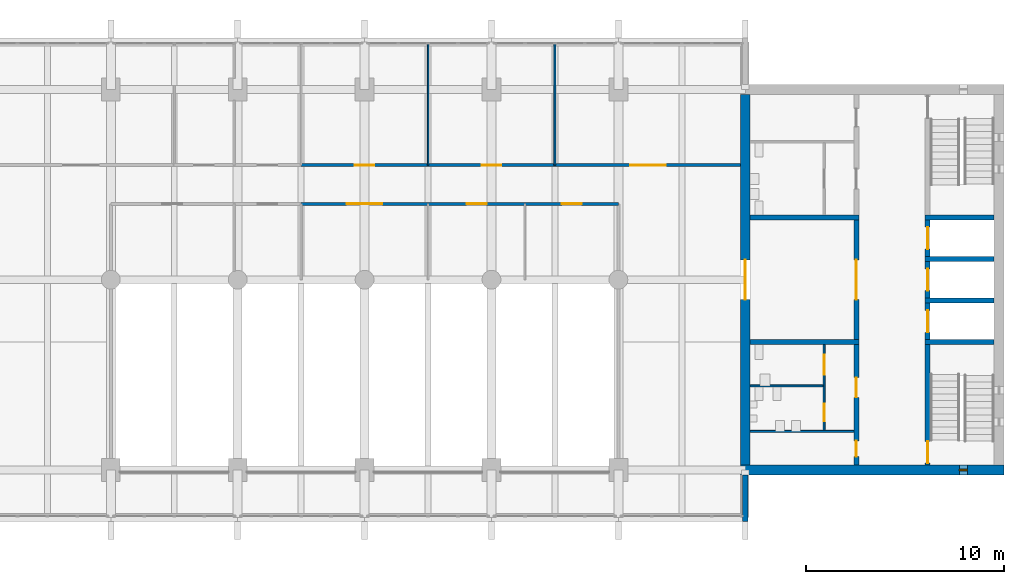
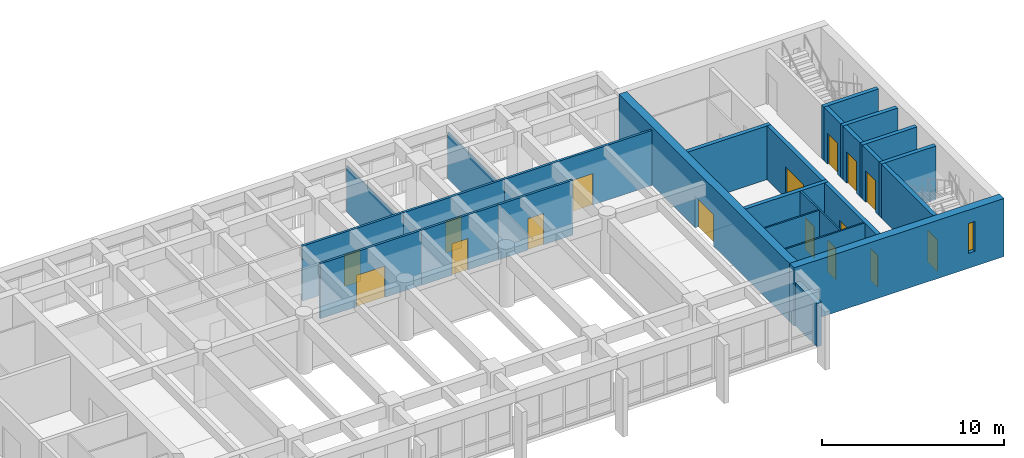
# One storey, part 11 of 15: 26 walls, 16 doors, 1 window, 17 openings.
"""IFC4 building model written with IfcOpenShell, lengths in metres."""

from ifc_helpers import new_model, si_unit, direction, frame, frame_2d, origin, place, context, subcontext, project, spatial, rectangle, extrude, material, layer, layer_set, type_object, element, fill, save


model = new_model("IFC4")

# Units and contexts
model_context = context("Model", 3, precision=1e-05, world=origin(), true_north=direction((0.0, 1.0)))
body_context = subcontext(model_context, "Body", "Model", "MODEL_VIEW")
ifc_project = project(units=[si_unit("LENGTHUNIT", "METRE"), si_unit("AREAUNIT", "SQUARE_METRE"), si_unit("VOLUMEUNIT", "CUBIC_METRE"), si_unit("PLANEANGLEUNIT", "RADIAN"), si_unit("MASSUNIT", "GRAM", prefix="KILO")], contexts=[model_context])

# Site, building, storey
site_placement = place(None, origin())
site = spatial("IfcSite", under=ifc_project, at=site_placement, CompositionType="ELEMENT")
building_placement = place(site_placement, origin())
building = spatial("IfcBuilding", under=site, at=building_placement, Name="Fogon Plaza Fire Station and Headquarters Tower", CompositionType="ELEMENT")
storey_placement = place(building_placement, frame((0.0, 0.0, 36.60009765625)))
storey = spatial("IfcBuildingStorey", under=building, at=storey_placement, Name="L09", CompositionType="ELEMENT", Elevation=36.60009765625)

# Walls
ifc_material_1 = material(Name="Concrete C40", Category="concrete")
ifc_layer_1 = layer(ifc_material_1, 0.25)
ifc_layer_set_1 = layer_set([ifc_layer_1], Name="Concrete C40")
wall_type_1 = type_object("IfcWallType", Name="Core Wall RC 250", PredefinedType="SOLIDWALL", material=ifc_layer_set_1)
for number, where, z_axis, x_axis, name in (
    (1, (76.550048828125, 40.050048828125, 0.0), (0.0, 0.0, 1.0), (-1.0, 0.0, 0.0), "Core B shaft wall"),
    (2, (76.550048828125, 42.14990234375, 0.0), (0.0, 0.0, 1.0), (-1.0, 0.0, 0.0), "Core B shaft wall"),
    (3, (76.550048828125, 44.25, 0.0), (0.0, 0.0, 1.0), (-1.0, 0.0, 0.0), "Core B shaft wall"),
    (4, (76.550048828125, 46.35009765625, 0.0), (0.0, 0.0, 1.0), (-1.0, 0.0, 0.0), "Core B shaft wall"),
):
    element("IfcWall", number, at=place(storey_placement, frame(where, z_axis=z_axis, x_axis=x_axis)), inside=storey, type_object=wall_type_1, Name=name, PredefinedType="SOLIDWALL", context=body_context, shape_type="SweptSolid", body=[
        extrude(rectangle(XDim=3.47509765625, YDim=0.25, at=frame_2d((1.737548828125, 0.0))), origin(), (0.0, 0.0, 1.0), 3.599853515625),
    ])

# Wall, opening, door
wall_1_placement = place(storey_placement, frame((73.199951171875, 33.85009765625, 0.0), z_axis=(0.0, 0.0, 1.0), x_axis=(0.0, 1.0, 0.0)))
wall_1 = element("IfcWall", 5, at=wall_1_placement, inside=storey, type_object=wall_type_1, Name="Core B shaft wall", PredefinedType="SOLIDWALL", context=body_context, shape_type="SweptSolid", body=[
    extrude(rectangle(XDim=6.074951171875, YDim=0.25, at=frame_2d((3.03759765625, 0.0))), origin(), (0.0, 0.0, 1.0), 3.599853515625),
])
opening_1_placement = place(wall_1_placement, frame((0.10009765625, 0.0, 0.0)))
opening_1 = element("IfcOpeningElement", 6, at=opening_1_placement, cuts=wall_1, Name="Opening L09-D15", PredefinedType="OPENING", context=body_context, shape_type="SweptSolid", body=[
    extrude(rectangle(XDim=1.10009765625, YDim=2.10009765625, at=frame_2d((0.550048828125, 1.050048828125))), frame((0.0, 0.135009765625, 0.0), z_axis=(0.0, -1.0, 0.0), x_axis=(1.0, 0.0, 0.0)), (0.0, 0.0, 1.0), 0.27001953125),
])
ifc_material_2 = material(Name="Steel Fire Door Leaf", Category="steel")
door_type_1 = type_object("IfcDoorType", Name="Stair Door Single 1100x2100", OperationType="SINGLE_SWING_LEFT", PredefinedType="DOOR", material=ifc_material_2)
door_1_placement = place(opening_1_placement, frame((1.10009765625, 0.0, 0.0), z_axis=(0.0, 0.0, 1.0), x_axis=(-1.0, 0.0, 0.0)))
door_1 = element("IfcDoor", 7, at=door_1_placement, inside=storey, type_object=door_type_1, Name="Stair door ST3", OperationType="SINGLE_SWING_RIGHT", OverallHeight=2.10009765625, OverallWidth=1.10009765625, PredefinedType="DOOR", context=body_context, shape_type="SweptSolid", body=[
    extrude(rectangle(XDim=1.10009765625, YDim=2.10009765625, at=frame_2d((0.550048828125, 1.050048828125))), frame((0.0, 0.02490234375, 0.0), z_axis=(0.0, -1.0, 0.0), x_axis=(1.0, 0.0, 0.0)), (0.0, 0.0, 1.0), 0.050048828125),
])
fill(opening_1, door_1)

wall_2_placement = place(storey_placement, frame((73.199951171875, 40.175048828125, 0.0), z_axis=(0.0, 0.0, 1.0), x_axis=(0.0, 1.0, 0.0)))
wall_2 = element("IfcWall", 8, at=wall_2_placement, inside=storey, type_object=wall_type_1, Name="Core B shaft wall", PredefinedType="SOLIDWALL", context=body_context, shape_type="SweptSolid", body=[
    extrude(rectangle(XDim=1.849853515625, YDim=0.25, at=frame_2d((0.9248046875, 0.0))), origin(), (0.0, 0.0, 1.0), 3.599853515625),
])
opening_2_placement = place(wall_2_placement, frame((0.375, 0.0, 0.0)))
opening_2 = element("IfcOpeningElement", 9, at=opening_2_placement, cuts=wall_2, Name="Opening L09-D17", PredefinedType="OPENING", context=body_context, shape_type="SweptSolid", body=[
    extrude(rectangle(XDim=1.10009765625, YDim=2.10009765625, at=frame_2d((0.550048828125, 1.050048828125))), frame((0.0, 0.135009765625, 0.0), z_axis=(0.0, -1.0, 0.0), x_axis=(1.0, 0.0, 0.0)), (0.0, 0.0, 1.0), 0.27001953125),
])
ifc_material_3 = material(Name="Stainless Steel", Category="steel")
door_type_2 = type_object("IfcDoorType", Name="Lift Landing Door 1100x2100", OperationType="SLIDING_TO_LEFT", PredefinedType="DOOR", material=ifc_material_3)
door_2_placement = place(opening_2_placement, origin())
door_2 = element("IfcDoor", 10, at=door_2_placement, inside=storey, type_object=door_type_2, Name="Lift LP3 landing door", OperationType="SLIDING_TO_LEFT", OverallHeight=2.10009765625, OverallWidth=1.10009765625, PredefinedType="DOOR", context=body_context, shape_type="SweptSolid", body=[
    extrude(rectangle(XDim=1.10009765625, YDim=2.10009765625, at=frame_2d((0.550048828125, 1.050048828125))), frame((0.0, 0.02490234375, 0.0), z_axis=(0.0, -1.0, 0.0), x_axis=(1.0, 0.0, 0.0)), (0.0, 0.0, 1.0), 0.050048828125),
])
fill(opening_2, door_2)

wall_3_placement = place(storey_placement, frame((73.199951171875, 42.27490234375, 0.0), z_axis=(0.0, 0.0, 1.0), x_axis=(0.0, 1.0, 0.0)))
wall_3 = element("IfcWall", 11, at=wall_3_placement, inside=storey, type_object=wall_type_1, Name="Core B shaft wall", PredefinedType="SOLIDWALL", context=body_context, shape_type="SweptSolid", body=[
    extrude(rectangle(XDim=1.85009765625, YDim=0.25, at=frame_2d((0.925048828125, 0.0))), origin(), (0.0, 0.0, 1.0), 3.599853515625),
])
opening_3_placement = place(wall_3_placement, frame((0.375, 0.0, 0.0)))
opening_3 = element("IfcOpeningElement", 12, at=opening_3_placement, cuts=wall_3, Name="Opening L09-D18", PredefinedType="OPENING", context=body_context, shape_type="SweptSolid", body=[
    extrude(rectangle(XDim=1.10009765625, YDim=2.10009765625, at=frame_2d((0.550048828125, 1.050048828125))), frame((0.0, 0.135009765625, 0.0), z_axis=(0.0, -1.0, 0.0), x_axis=(1.0, 0.0, 0.0)), (0.0, 0.0, 1.0), 0.27001953125),
])
door_3_placement = place(opening_3_placement, origin())
door_3 = element("IfcDoor", 13, at=door_3_placement, inside=storey, type_object=door_type_2, Name="Lift LP4 landing door", OperationType="SLIDING_TO_LEFT", OverallHeight=2.10009765625, OverallWidth=1.10009765625, PredefinedType="DOOR", context=body_context, shape_type="SweptSolid", body=[
    extrude(rectangle(XDim=1.10009765625, YDim=2.10009765625, at=frame_2d((0.550048828125, 1.050048828125))), frame((0.0, 0.02490234375, 0.0), z_axis=(0.0, -1.0, 0.0), x_axis=(1.0, 0.0, 0.0)), (0.0, 0.0, 1.0), 0.050048828125),
])
fill(opening_3, door_3)

wall_4_placement = place(storey_placement, frame((73.199951171875, 44.375, 0.0), z_axis=(0.0, 0.0, 1.0), x_axis=(0.0, 1.0, 0.0)))
wall_4 = element("IfcWall", 14, at=wall_4_placement, inside=storey, type_object=wall_type_1, Name="Core B shaft wall", PredefinedType="SOLIDWALL", context=body_context, shape_type="SweptSolid", body=[
    extrude(rectangle(XDim=1.85009765625, YDim=0.25, at=frame_2d((0.925048828125, 0.0))), origin(), (0.0, 0.0, 1.0), 3.599853515625),
])
opening_4_placement = place(wall_4_placement, frame((0.375, 0.0, 0.0)))
opening_4 = element("IfcOpeningElement", 15, at=opening_4_placement, cuts=wall_4, Name="Opening L09-D19", PredefinedType="OPENING", context=body_context, shape_type="SweptSolid", body=[
    extrude(rectangle(XDim=1.10009765625, YDim=2.10009765625, at=frame_2d((0.550048828125, 1.050048828125))), frame((0.0, 0.135009765625, 0.0), z_axis=(0.0, -1.0, 0.0), x_axis=(1.0, 0.0, 0.0)), (0.0, 0.0, 1.0), 0.27001953125),
])
door_4_placement = place(opening_4_placement, origin())
door_4 = element("IfcDoor", 16, at=door_4_placement, inside=storey, type_object=door_type_2, Name="Lift FL2 landing door", OperationType="SLIDING_TO_LEFT", OverallHeight=2.10009765625, OverallWidth=1.10009765625, PredefinedType="DOOR", context=body_context, shape_type="SweptSolid", body=[
    extrude(rectangle(XDim=1.10009765625, YDim=2.10009765625, at=frame_2d((0.550048828125, 1.050048828125))), frame((0.0, 0.02490234375, 0.0), z_axis=(0.0, -1.0, 0.0), x_axis=(1.0, 0.0, 0.0)), (0.0, 0.0, 1.0), 0.050048828125),
])
fill(opening_4, door_4)

# Wall, openings, doors
wall_5_placement = place(storey_placement, frame((69.60009765625, 33.85009765625, 0.0), z_axis=(0.0, 0.0, 1.0), x_axis=(0.0, 1.0, 0.0)))
wall_5 = element("IfcWall", 17, at=wall_5_placement, inside=storey, type_object=wall_type_1, Name="Core B shaft wall", PredefinedType="SOLIDWALL", context=body_context, shape_type="SweptSolid", body=[
    extrude(rectangle(XDim=6.074951171875, YDim=0.25, at=frame_2d((3.03759765625, 0.0))), origin(), (0.0, 0.0, 1.0), 3.599853515625),
])
opening_5_placement = place(wall_5_placement, frame((0.425048828125, 0.0, 0.0)))
opening_5 = element("IfcOpeningElement", 18, at=opening_5_placement, cuts=wall_5, Name="Opening L09-D22", PredefinedType="OPENING", context=body_context, shape_type="SweptSolid", body=[
    extrude(rectangle(XDim=0.800048828125, YDim=2.10009765625, at=frame_2d((0.39990234375, 1.050048828125))), frame((0.0, 0.135009765625, 0.0), z_axis=(0.0, -1.0, 0.0), x_axis=(1.0, 0.0, 0.0)), (0.0, 0.0, 1.0), 0.27001953125),
])
opening_6_placement = place(wall_5_placement, frame((3.41259765625, 0.0, 0.0)))
opening_6 = element("IfcOpeningElement", 19, at=opening_6_placement, cuts=wall_5, Name="Opening L09-D23", PredefinedType="OPENING", context=body_context, shape_type="SweptSolid", body=[
    extrude(rectangle(XDim=1.0, YDim=2.10009765625, at=frame_2d((0.5, 1.050048828125))), frame((0.0, 0.135009765625, 0.0), z_axis=(0.0, -1.0, 0.0), x_axis=(1.0, 0.0, 0.0)), (0.0, 0.0, 1.0), 0.27001953125),
])
ifc_material_4 = material(Name="Timber Door Leaf", Category="wood")
door_type_3 = type_object("IfcDoorType", Name="Cleaner Store Single 800x2100", OperationType="SINGLE_SWING_LEFT", PredefinedType="DOOR", material=ifc_material_4)
door_5_placement = place(opening_5_placement, origin())
door_5 = element("IfcDoor", 20, at=door_5_placement, inside=storey, type_object=door_type_3, Name="Cleaner's store B door", OperationType="SINGLE_SWING_RIGHT", OverallHeight=2.10009765625, OverallWidth=0.800048828125, PredefinedType="DOOR", context=body_context, shape_type="SweptSolid", body=[
    extrude(rectangle(XDim=0.800048828125, YDim=2.10009765625, at=frame_2d((0.39990234375, 1.050048828125))), frame((0.0, 0.02490234375, 0.0), z_axis=(0.0, -1.0, 0.0), x_axis=(1.0, 0.0, 0.0)), (0.0, 0.0, 1.0), 0.050048828125),
])
fill(opening_5, door_5)
ifc_material_5 = material(Name="Timber fire door", Category="wood")
door_type_4 = type_object("IfcDoorType", Name="WC Lobby Single 1000x2100", OperationType="SINGLE_SWING_LEFT", PredefinedType="DOOR", material=ifc_material_5)
door_6_placement = place(opening_6_placement, origin())
door_6 = element("IfcDoor", 21, at=door_6_placement, inside=storey, type_object=door_type_4, Name="Men's WC lobby B door", OperationType="SINGLE_SWING_LEFT", OverallHeight=2.10009765625, OverallWidth=1.0, PredefinedType="DOOR", context=body_context, shape_type="SweptSolid", body=[
    extrude(rectangle(XDim=1.0, YDim=2.10009765625, at=frame_2d((0.5, 1.050048828125))), frame((0.0, 0.02490234375, 0.0), z_axis=(0.0, -1.0, 0.0), x_axis=(1.0, 0.0, 0.0)), (0.0, 0.0, 1.0), 0.050048828125),
])
fill(opening_6, door_6)

# Wall, opening, door
wall_6_placement = place(storey_placement, frame((69.60009765625, 40.175048828125, 0.0), z_axis=(0.0, 0.0, 1.0), x_axis=(0.0, 1.0, 0.0)))
wall_6 = element("IfcWall", 22, at=wall_6_placement, inside=storey, type_object=wall_type_1, Name="Core B shaft wall", PredefinedType="SOLIDWALL", context=body_context, shape_type="SweptSolid", body=[
    extrude(rectangle(XDim=6.050048828125, YDim=0.25, at=frame_2d((3.02490234375, 0.0))), origin(), (0.0, 0.0, 1.0), 3.599853515625),
])
opening_7_placement = place(wall_6_placement, frame((2.02490234375, 0.0, 0.0)))
opening_7 = element("IfcOpeningElement", 23, at=opening_7_placement, cuts=wall_6, Name="Opening L09-D20", PredefinedType="OPENING", context=body_context, shape_type="SweptSolid", body=[
    extrude(rectangle(XDim=2.0, YDim=2.10009765625, at=frame_2d((1.0, 1.050048828125))), frame((0.0, 0.135009765625, 0.0), z_axis=(0.0, -1.0, 0.0), x_axis=(1.0, 0.0, 0.0)), (0.0, 0.0, 1.0), 0.27001953125),
])
ifc_material_6 = material(Name="Steel Fire Door Leaf", Category="steel")
door_type_5 = type_object("IfcDoorType", Name="Vestibule Double 2000x2100", OperationType="DOUBLE_DOOR_SINGLE_SWING", PredefinedType="DOOR", material=ifc_material_6)
door_7_placement = place(opening_7_placement, origin())
door_7 = element("IfcDoor", 24, at=door_7_placement, inside=storey, type_object=door_type_5, Name="Vestibule B door", OperationType="DOUBLE_DOOR_SINGLE_SWING", OverallHeight=2.10009765625, OverallWidth=2.0, PredefinedType="DOOR", context=body_context, shape_type="SweptSolid", body=[
    extrude(rectangle(XDim=2.0, YDim=2.10009765625, at=frame_2d((1.0, 1.050048828125))), frame((0.0, 0.02490234375, 0.0), z_axis=(0.0, -1.0, 0.0), x_axis=(1.0, 0.0, 0.0)), (0.0, 0.0, 1.0), 0.050048828125),
])
fill(opening_7, door_7)

# Walls
for number, where, z_axis, x_axis, name in (
    (25, (69.72509765625, 40.050048828125, 0.0), (0.0, 0.0, 1.0), (-1.0, 0.0, 0.0), "Core B shaft wall"),
    (26, (69.72509765625, 46.35009765625, 0.0), (0.0, 0.0, 1.0), (-1.0, 0.0, 0.0), "Core B shaft wall"),
):
    element("IfcWall", number, at=place(storey_placement, frame(where, z_axis=z_axis, x_axis=x_axis)), inside=storey, type_object=wall_type_1, Name=name, PredefinedType="SOLIDWALL", context=body_context, shape_type="SweptSolid", body=[
        extrude(rectangle(XDim=5.47509765625, YDim=0.25, at=frame_2d((2.737548828125, 0.0))), origin(), (0.0, 0.0, 1.0), 3.599853515625),
    ])
ifc_material_7 = material(Name="Concrete C40", Category="concrete")
ifc_layer_2 = layer(ifc_material_7, 0.300048828125)
ifc_layer_set_2 = layer_set([ifc_layer_2], Name="Concrete C40")
wall_type_2 = type_object("IfcWallType", Name="Fair-faced RC Return Panel 300", PredefinedType="SOLIDWALL", material=ifc_layer_set_2)
wall_7_placement = place(storey_placement, frame((64.0, 31.0, 0.0), z_axis=(0.0, 0.0, 1.0), x_axis=(0.0, 1.0, 0.0)))
element("IfcWall", 27, at=wall_7_placement, inside=storey, type_object=wall_type_2, Name="Bar end return ES L09", PredefinedType="SOLIDWALL", context=body_context, shape_type="SweptSolid", body=[
    extrude(rectangle(XDim=2.35009765625, YDim=0.300048828125, at=frame_2d((1.175048828125, 0.0))), origin(), (0.0, 0.0, 1.0), 2.8798828125),
])
ifc_material_8 = material(Name="Blockwork", Category="masonry")
ifc_layer_3 = layer(ifc_material_8, 0.10009765625)
ifc_layer_set_3 = layer_set([ifc_layer_3], Name="Blockwork")
wall_type_3 = type_object("IfcWallType", Name="Partition Blockwork 100", PredefinedType="PARTITIONING", material=ifc_layer_set_3)
wall_8_placement = place(storey_placement, frame((69.47509765625, 35.550048828125, 0.0), z_axis=(0.0, 0.0, 1.0), x_axis=(-1.0, 0.0, 0.0)))
element("IfcWall", 28, at=wall_8_placement, inside=storey, type_object=wall_type_3, Name="Cleaner's store partition", PredefinedType="PARTITIONING", context=body_context, shape_type="SweptSolid", body=[
    extrude(rectangle(XDim=5.22509765625, YDim=0.10009765625, at=frame_2d((2.612548828125, 0.0))), origin(), (0.0, 0.0, 1.0), 3.599853515625),
])

# Wall, openings, doors
wall_9_placement = place(storey_placement, frame((67.97509765625, 35.60009765625, 0.0), z_axis=(0.0, 0.0, 1.0), x_axis=(0.0, 1.0, 0.0)))
wall_9 = element("IfcWall", 29, at=wall_9_placement, inside=storey, type_object=wall_type_3, Name="WC block partition", PredefinedType="PARTITIONING", context=body_context, shape_type="SweptSolid", body=[
    extrude(rectangle(XDim=4.324951171875, YDim=0.10009765625, at=frame_2d((2.16259765625, 0.0))), origin(), (0.0, 0.0, 1.0), 3.599853515625),
])
opening_8_placement = place(wall_9_placement, frame((0.449951171875, 0.0, 0.0)))
opening_8 = element("IfcOpeningElement", 30, at=opening_8_placement, cuts=wall_9, Name="Opening L09-D24", PredefinedType="OPENING", context=body_context, shape_type="SweptSolid", body=[
    extrude(rectangle(XDim=0.89990234375, YDim=2.10009765625, at=frame_2d((0.449951171875, 1.050048828125))), frame((0.0, 0.06005859375, 0.0), z_axis=(0.0, -1.0, 0.0), x_axis=(1.0, 0.0, 0.0)), (0.0, 0.0, 1.0), 0.1201171875),
])
opening_9_placement = place(wall_9_placement, frame((2.8125, 0.0, 0.0)))
opening_9 = element("IfcOpeningElement", 31, at=opening_9_placement, cuts=wall_9, Name="Opening L09-D25", PredefinedType="OPENING", context=body_context, shape_type="SweptSolid", body=[
    extrude(rectangle(XDim=1.0, YDim=2.10009765625, at=frame_2d((0.5, 1.050048828125))), frame((0.0, 0.06005859375, 0.0), z_axis=(0.0, -1.0, 0.0), x_axis=(1.0, 0.0, 0.0)), (0.0, 0.0, 1.0), 0.1201171875),
])
ifc_material_9 = material(Name="Timber Door Leaf", Category="wood")
door_type_6 = type_object("IfcDoorType", Name="Accessible WC Single 1000x2100", OperationType="SINGLE_SWING_LEFT", PredefinedType="DOOR", material=ifc_material_9)
door_8_placement = place(opening_9_placement, origin())
door_8 = element("IfcDoor", 32, at=door_8_placement, inside=storey, type_object=door_type_6, Name="Accessible WC B door", OperationType="SINGLE_SWING_LEFT", OverallHeight=2.10009765625, OverallWidth=1.0, PredefinedType="DOOR", context=body_context, shape_type="SweptSolid", body=[
    extrude(rectangle(XDim=1.0, YDim=2.10009765625, at=frame_2d((0.5, 1.050048828125))), frame((0.0, 0.02490234375, 0.0), z_axis=(0.0, -1.0, 0.0), x_axis=(1.0, 0.0, 0.0)), (0.0, 0.0, 1.0), 0.050048828125),
])
fill(opening_9, door_8)
ifc_material_10 = material(Name="Timber Door Leaf", Category="wood")
door_type_7 = type_object("IfcDoorType", Name="WC Single 900x2100", OperationType="SINGLE_SWING_LEFT", PredefinedType="DOOR", material=ifc_material_10)
door_9_placement = place(opening_8_placement, origin())
door_9 = element("IfcDoor", 33, at=door_9_placement, inside=storey, type_object=door_type_7, Name="Men's WC B door", OperationType="SINGLE_SWING_LEFT", OverallHeight=2.10009765625, OverallWidth=0.89990234375, PredefinedType="DOOR", context=body_context, shape_type="SweptSolid", body=[
    extrude(rectangle(XDim=0.89990234375, YDim=2.10009765625, at=frame_2d((0.449951171875, 1.050048828125))), frame((0.0, 0.02490234375, 0.0), z_axis=(0.0, -1.0, 0.0), x_axis=(1.0, 0.0, 0.0)), (0.0, 0.0, 1.0), 0.050048828125),
])
fill(opening_8, door_9)

# Wall
wall_10_placement = place(storey_placement, frame((67.925048828125, 37.85009765625, 0.0), z_axis=(0.0, 0.0, 1.0), x_axis=(-1.0, 0.0, 0.0)))
element("IfcWall", 34, at=wall_10_placement, inside=storey, type_object=wall_type_3, Name="WC block partition", PredefinedType="PARTITIONING", context=body_context, shape_type="SweptSolid", body=[
    extrude(rectangle(XDim=3.675048828125, YDim=0.10009765625, at=frame_2d((1.83740234375, 0.0))), origin(), (0.0, 0.0, 1.0), 3.599853515625),
])

# Wall, opening, window
ifc_material_11 = material(Name="Concrete C40", Category="concrete")
ifc_layer_4 = layer(ifc_material_11, 0.5)
ifc_layer_set_4 = layer_set([ifc_layer_4], Name="Concrete C40")
wall_type_4 = type_object("IfcWallType", Name="Shear wall 500 SW50", PredefinedType="SHEAR", material=ifc_layer_set_4)
wall_11_placement = place(storey_placement, frame((63.75, 33.60009765625, 0.0), z_axis=(0.0, 0.0, 1.0), x_axis=(1.0, 0.0, 0.0)))
wall_11 = element("IfcWall", 35, at=wall_11_placement, inside=storey, type_object=wall_type_4, Name="wall-coreB-S-L09", PredefinedType="SHEAR", context=body_context, shape_type="SweptSolid", body=[
    extrude(rectangle(XDim=13.300048828125, YDim=0.5, at=frame_2d((6.64990234375, 0.0))), origin(), (0.0, 0.0, 1.0), 3.89990234375),
])
opening_10_placement = place(wall_11_placement, frame((11.050048828125, 0.0, 1.0)))
opening_10 = element("IfcOpeningElement", 36, at=opening_10_placement, cuts=wall_11, Name="Opening WS1", PredefinedType="OPENING", context=body_context, shape_type="SweptSolid", body=[
    extrude(rectangle(XDim=0.39990234375, YDim=2.0, at=frame_2d((0.199951171875, 1.0))), frame((0.0, 0.260009765625, 0.0), z_axis=(0.0, -1.0, 0.0), x_axis=(1.0, 0.0, 0.0)), (0.0, 0.0, 1.0), 0.52001953125),
])
ifc_material_12 = material(Name="Aluminium framed double glazing", Category="aluminium")
window_type = type_object("IfcWindowType", Name="Slit Window WS1 400x2000", PartitioningType="SINGLE_PANEL", PredefinedType="WINDOW", material=ifc_material_12)
window_placement = place(opening_10_placement, origin())
window = element("IfcWindow", 37, at=window_placement, inside=storey, type_object=window_type, Name="Slit window B5 L09", OverallHeight=2.0, OverallWidth=0.39990234375, PartitioningType="SINGLE_PANEL", PredefinedType="WINDOW", context=body_context, shape_type="SweptSolid", body=[
    extrude(rectangle(XDim=0.39990234375, YDim=2.0, at=frame_2d((0.199951171875, 1.0))), frame((0.0, 0.030029296875, 0.0), z_axis=(0.0, -1.0, 0.0), x_axis=(1.0, 0.0, 0.0)), (0.0, 0.0, 1.0), 0.06005859375),
])
fill(opening_10, window)

# Wall, opening, door
wall_12_placement = place(storey_placement, frame((64.0, 33.85009765625, 0.0), z_axis=(0.0, 0.0, 1.0), x_axis=(0.0, 1.0, 0.0)))
wall_12 = element("IfcWall", 38, at=wall_12_placement, inside=storey, type_object=wall_type_4, Name="wall-coreB-W-L09", PredefinedType="SHEAR", context=body_context, shape_type="SweptSolid", body=[
    extrude(rectangle(XDim=18.699951171875, YDim=0.5, at=frame_2d((9.35009765625, 0.0))), origin(), (0.0, 0.0, 1.0), 3.89990234375),
])
opening_11_placement = place(wall_12_placement, frame((8.35009765625, 0.0, 0.0)))
opening_11 = element("IfcOpeningElement", 39, at=opening_11_placement, cuts=wall_12, Name="Opening L09-D21", PredefinedType="OPENING", context=body_context, shape_type="SweptSolid", body=[
    extrude(rectangle(XDim=2.0, YDim=2.10009765625, at=frame_2d((1.0, 1.050048828125))), frame((0.0, 0.260009765625, 0.0), z_axis=(0.0, -1.0, 0.0), x_axis=(1.0, 0.0, 0.0)), (0.0, 0.0, 1.0), 0.52001953125),
])
door_10_placement = place(opening_11_placement, frame((2.0, 0.0, 0.0), z_axis=(0.0, 0.0, 1.0), x_axis=(-1.0, 0.0, 0.0)))
door_10 = element("IfcDoor", 40, at=door_10_placement, inside=storey, type_object=door_type_5, Name="Vestibule B door to the office zone", OperationType="DOUBLE_DOOR_SINGLE_SWING", OverallHeight=2.10009765625, OverallWidth=2.0, PredefinedType="DOOR", context=body_context, shape_type="SweptSolid", body=[
    extrude(rectangle(XDim=2.0, YDim=2.10009765625, at=frame_2d((1.0, 1.050048828125))), frame((0.0, 0.02490234375, 0.0), z_axis=(0.0, -1.0, 0.0), x_axis=(1.0, 0.0, 0.0)), (0.0, 0.0, 1.0), 0.050048828125),
])
fill(opening_11, door_10)

ifc_material_13 = material(Name="Gypsum board on steel stud", Category="steel")
ifc_layer_5 = layer(ifc_material_13, 0.14990234375)
ifc_layer_set_5 = layer_set([ifc_layer_5], Name="Gypsum board on steel stud")
wall_type_5 = type_object("IfcWallType", Name="Tower corridor partition 150 EI 60", PredefinedType="PARTITIONING", material=ifc_layer_set_5)
wall_13_placement = place(storey_placement, frame((41.60009765625, 47.02490234375, 0.0), z_axis=(0.0, 0.0, 1.0), x_axis=(1.0, 0.0, 0.0)))
wall_13 = element("IfcWall", 41, at=wall_13_placement, inside=storey, type_object=wall_type_5, Name="part-L09-03", PredefinedType="PARTITIONING", context=body_context, shape_type="SweptSolid", body=[
    extrude(rectangle(XDim=6.39990234375, YDim=0.14990234375, at=frame_2d((3.199951171875, 0.0))), origin(), (0.0, 0.0, 1.0), 3.679931640625),
])
opening_12_placement = place(wall_13_placement, frame((2.300048828125, 0.0, 0.0)))
opening_12 = element("IfcOpeningElement", 42, at=opening_12_placement, cuts=wall_13, Name="Opening L09-D31", PredefinedType="OPENING", context=body_context, shape_type="SweptSolid", body=[
    extrude(rectangle(XDim=1.800048828125, YDim=2.10009765625, at=frame_2d((0.89990234375, 1.050048828125))), frame((0.0, 0.0849609375, 0.0), z_axis=(0.0, -1.0, 0.0), x_axis=(1.0, 0.0, 0.0)), (0.0, 0.0, 1.0), 0.169921875),
])
ifc_material_14 = material(Name="Timber fire door", Category="wood")
door_type_8 = type_object("IfcDoorType", Name="Tower fire door double 1800 EI 20", OperationType="DOUBLE_DOOR_SINGLE_SWING", PredefinedType="DOOR", material=ifc_material_14)
door_11_placement = place(opening_12_placement, frame((1.800048828125, 0.0, 0.0), z_axis=(0.0, 0.0, 1.0), x_axis=(-1.0, 0.0, 0.0)))
door_11 = element("IfcDoor", 43, at=door_11_placement, inside=storey, type_object=door_type_8, Name="door-L09-03", OperationType="DOUBLE_DOOR_SINGLE_SWING", OverallHeight=2.10009765625, OverallWidth=1.800048828125, PredefinedType="DOOR", context=body_context, shape_type="SweptSolid", body=[
    extrude(rectangle(XDim=1.800048828125, YDim=2.10009765625, at=frame_2d((0.89990234375, 1.050048828125))), frame((0.0, 0.02490234375, 0.0), z_axis=(0.0, -1.0, 0.0), x_axis=(1.0, 0.0, 0.0)), (0.0, 0.0, 1.0), 0.050048828125),
])
fill(opening_12, door_11)

wall_14_placement = place(storey_placement, frame((48.0, 47.02490234375, 0.0), z_axis=(0.0, 0.0, 1.0), x_axis=(1.0, 0.0, 0.0)))
wall_14 = element("IfcWall", 44, at=wall_14_placement, inside=storey, type_object=wall_type_5, Name="part-L09-04", PredefinedType="PARTITIONING", context=body_context, shape_type="SweptSolid", body=[
    extrude(rectangle(XDim=4.889892578125, YDim=0.14990234375, at=frame_2d((2.44482421875, 0.0))), origin(), (0.0, 0.0, 1.0), 3.679931640625),
])
opening_13_placement = place(wall_14_placement, frame((1.949951171875, 0.0, 0.0)))
opening_13 = element("IfcOpeningElement", 45, at=opening_13_placement, cuts=wall_14, Name="Opening L09-D32", PredefinedType="OPENING", context=body_context, shape_type="SweptSolid", body=[
    extrude(rectangle(XDim=1.0, YDim=2.10009765625, at=frame_2d((0.5, 1.050048828125))), frame((0.0, 0.0849609375, 0.0), z_axis=(0.0, -1.0, 0.0), x_axis=(1.0, 0.0, 0.0)), (0.0, 0.0, 1.0), 0.169921875),
])
ifc_material_15 = material(Name="Fire rated glazed door")
door_type_9 = type_object("IfcDoorType", Name="Tower glazed fire door single 1000 EI 20", OperationType="SINGLE_SWING_LEFT", PredefinedType="DOOR", material=ifc_material_15)
door_12_placement = place(opening_13_placement, frame((1.0, 0.0, 0.0), z_axis=(0.0, 0.0, 1.0), x_axis=(-1.0, 0.0, 0.0)))
door_12 = element("IfcDoor", 46, at=door_12_placement, inside=storey, type_object=door_type_9, Name="door-L09-04", OperationType="SINGLE_SWING_RIGHT", OverallHeight=2.10009765625, OverallWidth=1.0, PredefinedType="DOOR", context=body_context, shape_type="SweptSolid", body=[
    extrude(rectangle(XDim=1.0, YDim=2.10009765625, at=frame_2d((0.5, 1.050048828125))), frame((0.0, 0.02490234375, 0.0), z_axis=(0.0, -1.0, 0.0), x_axis=(1.0, 0.0, 0.0)), (0.0, 0.0, 1.0), 0.050048828125),
])
fill(opening_13, door_12)

wall_15_placement = place(storey_placement, frame((52.889892578125, 47.02490234375, 0.0), z_axis=(0.0, 0.0, 1.0), x_axis=(1.0, 0.0, 0.0)))
wall_15 = element("IfcWall", 47, at=wall_15_placement, inside=storey, type_object=wall_type_5, Name="part-L09-05", PredefinedType="PARTITIONING", context=body_context, shape_type="SweptSolid", body=[
    extrude(rectangle(XDim=4.710205078125, YDim=0.14990234375, at=frame_2d((2.35498046875, 0.0))), origin(), (0.0, 0.0, 1.0), 3.679931640625),
])
opening_14_placement = place(wall_15_placement, frame((1.860107421875, 0.0, 0.0)))
opening_14 = element("IfcOpeningElement", 48, at=opening_14_placement, cuts=wall_15, Name="Opening L09-D33", PredefinedType="OPENING", context=body_context, shape_type="SweptSolid", body=[
    extrude(rectangle(XDim=1.0, YDim=2.10009765625, at=frame_2d((0.5, 1.050048828125))), frame((0.0, 0.0849609375, 0.0), z_axis=(0.0, -1.0, 0.0), x_axis=(1.0, 0.0, 0.0)), (0.0, 0.0, 1.0), 0.169921875),
])
ifc_material_16 = material(Name="Timber fire door", Category="wood")
door_type_10 = type_object("IfcDoorType", Name="Tower fire door single 1000 EI 20", OperationType="SINGLE_SWING_LEFT", PredefinedType="DOOR", material=ifc_material_16)
door_13_placement = place(opening_14_placement, frame((1.0, 0.0, 0.0), z_axis=(0.0, 0.0, 1.0), x_axis=(-1.0, 0.0, 0.0)))
door_13 = element("IfcDoor", 49, at=door_13_placement, inside=storey, type_object=door_type_10, Name="door-L09-05", OperationType="SINGLE_SWING_LEFT", OverallHeight=2.10009765625, OverallWidth=1.0, PredefinedType="DOOR", context=body_context, shape_type="SweptSolid", body=[
    extrude(rectangle(XDim=1.0, YDim=2.10009765625, at=frame_2d((0.5, 1.050048828125))), frame((0.0, 0.02490234375, 0.0), z_axis=(0.0, -1.0, 0.0), x_axis=(1.0, 0.0, 0.0)), (0.0, 0.0, 1.0), 0.050048828125),
])
fill(opening_14, door_13)

wall_16_placement = place(storey_placement, frame((41.60009765625, 48.97509765625, 0.0), z_axis=(0.0, 0.0, 1.0), x_axis=(1.0, 0.0, 0.0)))
wall_16 = element("IfcWall", 50, at=wall_16_placement, inside=storey, type_object=wall_type_5, Name="part-L09-13", PredefinedType="PARTITIONING", context=body_context, shape_type="SweptSolid", body=[
    extrude(rectangle(XDim=6.39990234375, YDim=0.14990234375, at=frame_2d((3.199951171875, 0.0))), origin(), (0.0, 0.0, 1.0), 3.679931640625),
])
opening_15_placement = place(wall_16_placement, frame((2.699951171875, 0.0, 0.0)))
opening_15 = element("IfcOpeningElement", 51, at=opening_15_placement, cuts=wall_16, Name="Opening L09-D37", PredefinedType="OPENING", context=body_context, shape_type="SweptSolid", body=[
    extrude(rectangle(XDim=1.0, YDim=2.10009765625, at=frame_2d((0.5, 1.050048828125))), frame((0.0, 0.0849609375, 0.0), z_axis=(0.0, -1.0, 0.0), x_axis=(1.0, 0.0, 0.0)), (0.0, 0.0, 1.0), 0.169921875),
])
door_14_placement = place(opening_15_placement, origin())
door_14 = element("IfcDoor", 52, at=door_14_placement, inside=storey, type_object=door_type_9, Name="door-L09-09", OperationType="SINGLE_SWING_LEFT", OverallHeight=2.10009765625, OverallWidth=1.0, PredefinedType="DOOR", context=body_context, shape_type="SweptSolid", body=[
    extrude(rectangle(XDim=1.0, YDim=2.10009765625, at=frame_2d((0.5, 1.050048828125))), frame((0.0, 0.02490234375, 0.0), z_axis=(0.0, -1.0, 0.0), x_axis=(1.0, 0.0, 0.0)), (0.0, 0.0, 1.0), 0.050048828125),
])
fill(opening_15, door_14)

wall_17_placement = place(storey_placement, frame((48.0, 48.97509765625, 0.0), z_axis=(0.0, 0.0, 1.0), x_axis=(1.0, 0.0, 0.0)))
wall_17 = element("IfcWall", 53, at=wall_17_placement, inside=storey, type_object=wall_type_5, Name="part-L09-14", PredefinedType="PARTITIONING", context=body_context, shape_type="SweptSolid", body=[
    extrude(rectangle(XDim=6.39990234375, YDim=0.14990234375, at=frame_2d((3.199951171875, 0.0))), origin(), (0.0, 0.0, 1.0), 3.679931640625),
])
opening_16_placement = place(wall_17_placement, frame((2.699951171875, 0.0, 0.0)))
opening_16 = element("IfcOpeningElement", 54, at=opening_16_placement, cuts=wall_17, Name="Opening L09-D38", PredefinedType="OPENING", context=body_context, shape_type="SweptSolid", body=[
    extrude(rectangle(XDim=1.0, YDim=2.10009765625, at=frame_2d((0.5, 1.050048828125))), frame((0.0, 0.0849609375, 0.0), z_axis=(0.0, -1.0, 0.0), x_axis=(1.0, 0.0, 0.0)), (0.0, 0.0, 1.0), 0.169921875),
])
door_15_placement = place(opening_16_placement, origin())
door_15 = element("IfcDoor", 55, at=door_15_placement, inside=storey, type_object=door_type_10, Name="door-L09-10", OperationType="SINGLE_SWING_RIGHT", OverallHeight=2.10009765625, OverallWidth=1.0, PredefinedType="DOOR", context=body_context, shape_type="SweptSolid", body=[
    extrude(rectangle(XDim=1.0, YDim=2.10009765625, at=frame_2d((0.5, 1.050048828125))), frame((0.0, 0.02490234375, 0.0), z_axis=(0.0, -1.0, 0.0), x_axis=(1.0, 0.0, 0.0)), (0.0, 0.0, 1.0), 0.050048828125),
])
fill(opening_16, door_15)

wall_18_placement = place(storey_placement, frame((54.39990234375, 48.97509765625, 0.0), z_axis=(0.0, 0.0, 1.0), x_axis=(1.0, 0.0, 0.0)))
wall_18 = element("IfcWall", 56, at=wall_18_placement, inside=storey, type_object=wall_type_5, Name="part-L09-15", PredefinedType="PARTITIONING", context=body_context, shape_type="SweptSolid", body=[
    extrude(rectangle(XDim=9.35009765625, YDim=0.14990234375, at=frame_2d((4.675048828125, 0.0))), origin(), (0.0, 0.0, 1.0), 3.679931640625),
])
opening_17_placement = place(wall_18_placement, frame((3.800048828125, 0.0, 0.0)))
opening_17 = element("IfcOpeningElement", 57, at=opening_17_placement, cuts=wall_18, Name="Opening L09-D39", PredefinedType="OPENING", context=body_context, shape_type="SweptSolid", body=[
    extrude(rectangle(XDim=1.800048828125, YDim=2.10009765625, at=frame_2d((0.89990234375, 1.050048828125))), frame((0.0, 0.0849609375, 0.0), z_axis=(0.0, -1.0, 0.0), x_axis=(1.0, 0.0, 0.0)), (0.0, 0.0, 1.0), 0.169921875),
])
door_16_placement = place(opening_17_placement, origin())
door_16 = element("IfcDoor", 58, at=door_16_placement, inside=storey, type_object=door_type_8, Name="door-L09-11", OperationType="DOUBLE_DOOR_SINGLE_SWING", OverallHeight=2.10009765625, OverallWidth=1.800048828125, PredefinedType="DOOR", context=body_context, shape_type="SweptSolid", body=[
    extrude(rectangle(XDim=1.800048828125, YDim=2.10009765625, at=frame_2d((0.89990234375, 1.050048828125))), frame((0.0, 0.02490234375, 0.0), z_axis=(0.0, -1.0, 0.0), x_axis=(1.0, 0.0, 0.0)), (0.0, 0.0, 1.0), 0.050048828125),
])
fill(opening_17, door_16)

# Walls
ifc_material_17 = material(Name="Glazed aluminium partition", Category="aluminium")
ifc_layer_6 = layer(ifc_material_17, 0.074951171875)
ifc_layer_set_6 = layer_set([ifc_layer_6], Name="Glazed aluminium partition")
wall_type_6 = type_object("IfcWallType", Name="Tower glazed partition 75 Beam Head 600", PredefinedType="PARTITIONING", material=ifc_layer_set_6)
wall_19_placement = place(storey_placement, frame((48.0, 48.97509765625, 0.0), z_axis=(0.0, 0.0, 1.0), x_axis=(0.0, 1.0, 0.0)))
element("IfcWall", 59, at=wall_19_placement, inside=storey, type_object=wall_type_6, Name="part-L09-20", PredefinedType="PARTITIONING", context=body_context, shape_type="SweptSolid", body=[
    extrude(rectangle(XDim=6.125, YDim=0.074951171875, at=frame_2d((3.0625, 0.0))), origin(), (0.0, 0.0, 1.0), 3.079833984375),
])
ifc_material_18 = material(Name="Gypsum board on steel stud", Category="steel")
ifc_layer_7 = layer(ifc_material_18, 0.10009765625)
ifc_layer_set_7 = layer_set([ifc_layer_7], Name="Gypsum board on steel stud")
wall_type_7 = type_object("IfcWallType", Name="Tower office partition 100 Beam Head 600", PredefinedType="PARTITIONING", material=ifc_layer_set_7)
wall_20_placement = place(storey_placement, frame((54.39990234375, 48.97509765625, 0.0), z_axis=(0.0, 0.0, 1.0), x_axis=(0.0, 1.0, 0.0)))
element("IfcWall", 60, at=wall_20_placement, inside=storey, type_object=wall_type_7, Name="part-L09-21", PredefinedType="PARTITIONING", context=body_context, shape_type="SweptSolid", body=[
    extrude(rectangle(XDim=6.125, YDim=0.10009765625, at=frame_2d((3.0625, 0.0))), origin(), (0.0, 0.0, 1.0), 3.079833984375),
])

save(model, "model.ifc")
